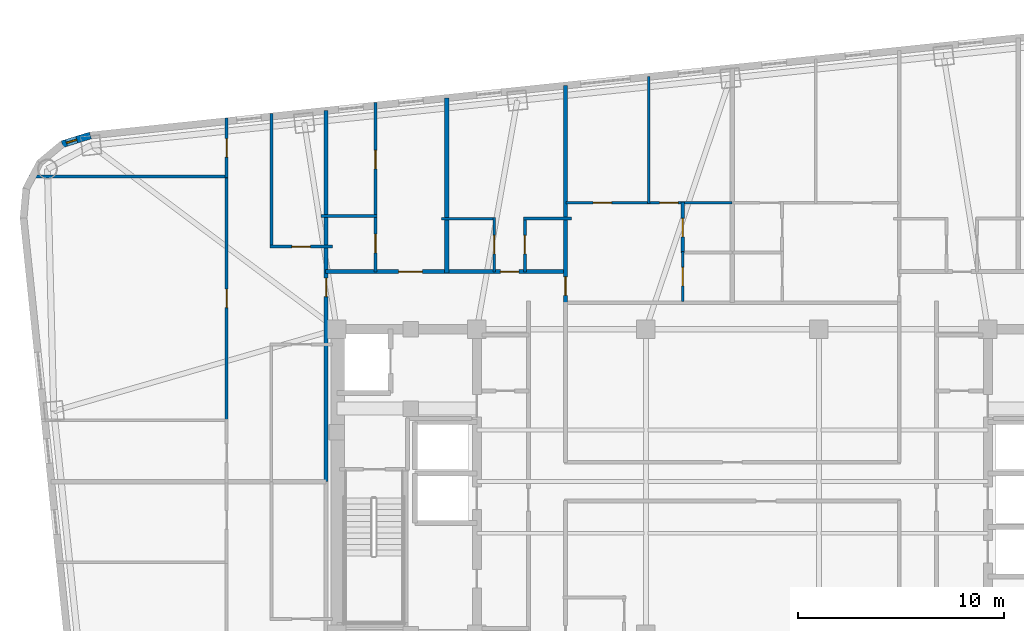
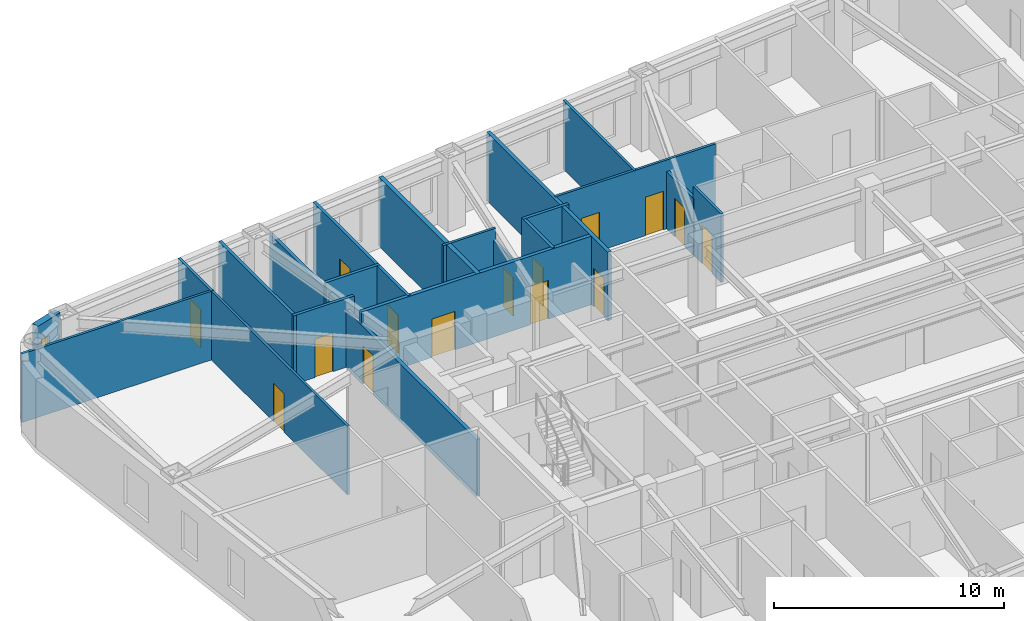
# One storey, part 8 of 12: 21 walls, 15 doors, 1 window, 16 openings.
"""IFC4 building model written with IfcOpenShell, lengths in metres."""

from ifc_helpers import new_model, si_unit, direction, frame, frame_2d, origin, place, context, subcontext, project, spatial, rectangle, extrude, material, layer, layer_set, type_object, element, fill, save


model = new_model("IFC4")

# Units and contexts
model_context = context("Model", 3, precision=1e-05, world=origin(), true_north=direction((0.0, 1.0)))
body_context = subcontext(model_context, "Body", "Model", "MODEL_VIEW")
ifc_project = project(units=[si_unit("LENGTHUNIT", "METRE"), si_unit("AREAUNIT", "SQUARE_METRE"), si_unit("VOLUMEUNIT", "CUBIC_METRE"), si_unit("PLANEANGLEUNIT", "RADIAN"), si_unit("MASSUNIT", "GRAM", prefix="KILO")], contexts=[model_context])

# Site, building, storey
site_placement = place(None, origin())
site = spatial("IfcSite", under=ifc_project, at=site_placement, CompositionType="ELEMENT")
building_placement = place(site_placement, origin())
building = spatial("IfcBuilding", under=site, at=building_placement, Name="Voryun Gate Residences", CompositionType="ELEMENT")
storey_placement = place(building_placement, frame((0.0, 0.0, 187.199951171875)))
storey = spatial("IfcBuildingStorey", under=building, at=storey_placement, Name="L46", CompositionType="ELEMENT", Elevation=187.199951171875)

# Wall, openings, doors
ifc_material_1 = material(Name="Gypsum acoustic fireboard")
ifc_layer_1 = layer(ifc_material_1, 0.179931640625, Name="W_CORR_RATED_180")
ifc_layer_set_1 = layer_set([ifc_layer_1], Name="Gypsum acoustic fireboard")
wall_type_1 = type_object("IfcWallType", Name="W_CORR_RATED_180", PredefinedType="PARTITIONING", material=ifc_layer_set_1)
wall_1_placement = place(storey_placement, frame((-19.75, 10.199951171875, 0.0), z_axis=(0.0, 0.0, 1.0), x_axis=(1.0, 0.0, 0.0)))
wall_1 = element("IfcWall", 1, at=wall_1_placement, inside=storey, type_object=wall_type_1, Name="Partition wall WP-L46-NCORR-W", PredefinedType="PARTITIONING", context=body_context, shape_type="SweptSolid", body=[
    extrude(rectangle(XDim=11.669921875, YDim=0.179931640625, at=frame_2d((5.8349609375, 0.0))), origin(), (0.0, 0.0, 1.0), 3.650146484375),
])
opening_1_placement = place(wall_1_placement, frame((3.552734375, 0.0, 0.0)))
opening_1 = element("IfcOpeningElement", 2, at=opening_1_placement, cuts=wall_1, Name="Opening D-UNIT-1", PredefinedType="OPENING", context=body_context, shape_type="SweptSolid", body=[
    extrude(rectangle(XDim=1.14990234375, YDim=2.050048828125, at=frame_2d((0.574951171875, 1.02490234375))), frame((0.0, 0.099853515625, 0.0), z_axis=(0.0, -1.0, 0.0), x_axis=(1.0, 0.0, 0.0)), (0.0, 0.0, 1.0), 0.199951171875),
])
opening_2_placement = place(wall_1_placement, frame((8.4892578125, 0.0, 0.0)))
opening_2 = element("IfcOpeningElement", 3, at=opening_2_placement, cuts=wall_1, Name="Opening D-INT-2", PredefinedType="OPENING", context=body_context, shape_type="SweptSolid", body=[
    extrude(rectangle(XDim=0.89990234375, YDim=2.050048828125, at=frame_2d((0.449951171875, 1.02490234375))), frame((0.0, 0.099853515625, 0.0), z_axis=(0.0, -1.0, 0.0), x_axis=(1.0, 0.0, 0.0)), (0.0, 0.0, 1.0), 0.199951171875),
])
ifc_material_2 = material(Name="Architectural oak veneer")
door_type_1 = type_object("IfcDoorType", Name="DR_INT_BATH_900", OperationType="NOTDEFINED", PredefinedType="DOOR", material=ifc_material_2)
door_1_placement = place(opening_2_placement, origin())
door_1 = element("IfcDoor", 4, at=door_1_placement, inside=storey, type_object=door_type_1, Name="Door DR-L46-NENT-2", OperationType="SINGLE_SWING_RIGHT", OverallHeight=2.050048828125, OverallWidth=0.89990234375, PredefinedType="DOOR", context=body_context, shape_type="SweptSolid", body=[
    extrude(rectangle(XDim=0.89990234375, YDim=2.050048828125, at=frame_2d((0.449951171875, 1.02490234375))), frame((0.0, 0.02490234375, 0.0), z_axis=(0.0, -1.0, 0.0), x_axis=(1.0, 0.0, 0.0)), (0.0, 0.0, 1.0), 0.050048828125),
])
fill(opening_2, door_1)
ifc_material_3 = material(Name="Armoured timber-clad fire door", Category="wood")
door_type_2 = type_object("IfcDoorType", Name="DR_UNIT_ENTRY_1150", OperationType="NOTDEFINED", PredefinedType="DOOR", material=ifc_material_3)
door_2_placement = place(opening_1_placement, origin())
door_2 = element("IfcDoor", 5, at=door_2_placement, inside=storey, type_object=door_type_2, Name="Door DR-L46-NENT-1", OperationType="SINGLE_SWING_LEFT", OverallHeight=2.050048828125, OverallWidth=1.14990234375, PredefinedType="DOOR", context=body_context, shape_type="SweptSolid", body=[
    extrude(rectangle(XDim=1.14990234375, YDim=2.050048828125, at=frame_2d((0.574951171875, 1.02490234375))), frame((0.0, 0.02490234375, 0.0), z_axis=(0.0, -1.0, 0.0), x_axis=(1.0, 0.0, 0.0)), (0.0, 0.0, 1.0), 0.050048828125),
])
fill(opening_1, door_2)

# Wall, opening, door
wall_2_placement = place(storey_placement, frame((-8.10009765625, 8.68994140625, 0.0), z_axis=(0.0, 0.0, 1.0), x_axis=(0.0, 1.0, 0.0)))
wall_2 = element("IfcWall", 6, at=wall_2_placement, inside=storey, type_object=wall_type_1, Name="Partition wall WP-L46-NZV-1", PredefinedType="PARTITIONING", context=body_context, shape_type="SweptSolid", body=[
    extrude(rectangle(XDim=10.536376953125, YDim=0.179931640625, at=frame_2d((5.26806640625, 0.0))), origin(), (0.0, 0.0, 1.0), 3.650146484375),
])
opening_3_placement = place(wall_2_placement, frame((0.349609375, 0.0, 0.0)))
opening_3 = element("IfcOpeningElement", 7, at=opening_3_placement, cuts=wall_2, Name="Opening D-INT-2", PredefinedType="OPENING", context=body_context, shape_type="SweptSolid", body=[
    extrude(rectangle(XDim=0.89990234375, YDim=2.050048828125, at=frame_2d((0.449951171875, 1.02490234375))), frame((0.0, 0.099853515625, 0.0), z_axis=(0.0, -1.0, 0.0), x_axis=(1.0, 0.0, 0.0)), (0.0, 0.0, 1.0), 0.199951171875),
])
door_3_placement = place(opening_3_placement, origin())
door_3 = element("IfcDoor", 8, at=door_3_placement, inside=storey, type_object=door_type_1, Name="Door DR-L46-NZENT-1", OperationType="SINGLE_SWING_LEFT", OverallHeight=2.050048828125, OverallWidth=0.89990234375, PredefinedType="DOOR", context=body_context, shape_type="SweptSolid", body=[
    extrude(rectangle(XDim=0.89990234375, YDim=2.050048828125, at=frame_2d((0.449951171875, 1.02490234375))), frame((0.0, 0.02490234375, 0.0), z_axis=(0.0, -1.0, 0.0), x_axis=(1.0, 0.0, 0.0)), (0.0, 0.0, 1.0), 0.050048828125),
])
fill(opening_3, door_3)

wall_3_placement = place(storey_placement, frame((-19.719970703125, 0.0, 0.0), z_axis=(0.0, 0.0, 1.0), x_axis=(0.0, 1.0, 0.0)))
wall_3 = element("IfcWall", 9, at=wall_3_placement, inside=storey, type_object=wall_type_1, Name="Partition wall WP-L46-WCOR2", PredefinedType="PARTITIONING", context=body_context, shape_type="SweptSolid", body=[
    extrude(rectangle(XDim=18.005126953125, YDim=0.179931640625, at=frame_2d((9.00244140625, 0.0))), origin(), (0.0, 0.0, 1.0), 3.0400390625),
])
opening_4_placement = place(wall_3_placement, frame((8.979248046875, 0.0, 0.0)))
opening_4 = element("IfcOpeningElement", 10, at=opening_4_placement, cuts=wall_3, Name="Opening D-INT-2", PredefinedType="OPENING", context=body_context, shape_type="SweptSolid", body=[
    extrude(rectangle(XDim=0.89990234375, YDim=2.050048828125, at=frame_2d((0.449951171875, 1.02490234375))), frame((0.0, 0.099853515625, 0.0), z_axis=(0.0, -1.0, 0.0), x_axis=(1.0, 0.0, 0.0)), (0.0, 0.0, 1.0), 0.199951171875),
])
door_4_placement = place(opening_4_placement, origin())
door_4 = element("IfcDoor", 11, at=door_4_placement, inside=storey, type_object=door_type_1, Name="Door DR-L46-WE2", OperationType="SINGLE_SWING_RIGHT", OverallHeight=2.050048828125, OverallWidth=0.89990234375, PredefinedType="DOOR", context=body_context, shape_type="SweptSolid", body=[
    extrude(rectangle(XDim=0.89990234375, YDim=2.050048828125, at=frame_2d((0.449951171875, 1.02490234375))), frame((0.0, 0.02490234375, 0.0), z_axis=(0.0, -1.0, 0.0), x_axis=(1.0, 0.0, 0.0)), (0.0, 0.0, 1.0), 0.050048828125),
])
fill(opening_4, door_4)

# Wall, opening, window
ifc_material_4 = material(Name="Charcoal terracotta masonry", Category="masonry")
ifc_layer_2 = layer(ifc_material_4, 0.340087890625, Name="W_EXT_TERRACOTTA_340")
ifc_layer_set_2 = layer_set([ifc_layer_2], Name="Charcoal terracotta masonry")
wall_type_2 = type_object("IfcWallType", Name="W_EXT_TERRACOTTA_340", PredefinedType="ELEMENTEDWALL", material=ifc_layer_set_2)
wall_4_placement = place(storey_placement, frame((-32.523193359375, 16.37841796875, 0.0), z_axis=(0.0, 0.0, 1.0), x_axis=(0.9549942197, 0.296624409546, 0.0)))
wall_4 = element("IfcWall", 12, at=wall_4_placement, inside=storey, type_object=wall_type_2, Name="Exterior wall WEXT-L46-10", PredefinedType="ELEMENTEDWALL", context=body_context, shape_type="SweptSolid", body=[
    extrude(rectangle(XDim=1.43212890625, YDim=0.340087890625, at=frame_2d((0.716064453125, 0.0))), origin(), (0.0, 0.0, 1.0), 3.650146484375),
])
opening_5_placement = place(wall_4_placement, frame((0.216064453125, 0.0, 0.75)))
opening_5 = element("IfcOpeningElement", 13, at=opening_5_placement, cuts=wall_4, Name="Opening WN10", PredefinedType="OPENING", context=body_context, shape_type="SweptSolid", body=[
    extrude(rectangle(XDim=0.52001953125, YDim=2.050048828125, at=frame_2d((0.260009765625, 1.02490234375))), frame((0.0, 0.179931640625, 0.0), z_axis=(0.0, -1.0, 0.0), x_axis=(1.0, 0.0, 0.0)), (0.0, 0.0, 1.0), 0.360107421875),
])
ifc_material_5 = material(Name="Laminated low-E glass", Category="glass")
window_type = type_object("IfcWindowType", Name="WN_PAGODA_LANCET_520", PartitioningType="SINGLE_PANEL", PredefinedType="WINDOW", material=ifc_material_5)
window_placement = place(opening_5_placement, origin())
window = element("IfcWindow", 14, at=window_placement, inside=storey, type_object=window_type, Name="Window WN-L46-DWFIX-24", OverallHeight=2.050048828125, OverallWidth=0.52001953125, PartitioningType="SINGLE_PANEL", PredefinedType="WINDOW", context=body_context, shape_type="SweptSolid", body=[
    extrude(rectangle(XDim=0.52001953125, YDim=2.050048828125, at=frame_2d((0.260009765625, 1.02490234375))), frame((0.0, 0.030029296875, 0.0), z_axis=(0.0, -1.0, 0.0), x_axis=(1.0, 0.0, 0.0)), (0.0, 0.0, 1.0), 0.06005859375),
])
fill(opening_5, window)

# Wall
ifc_material_6 = material(Name="Concrete C40/50", Category="concrete")
ifc_layer_3 = layer(ifc_material_6, 0.219970703125, Name="W_PARTY_ACOUSTIC_220")
ifc_layer_set_3 = layer_set([ifc_layer_3], Name="Concrete C40/50")
wall_type_3 = type_object("IfcWallType", Name="W_PARTY_ACOUSTIC_220", PredefinedType="PARTITIONING", material=ifc_layer_set_3)
wall_5_placement = place(storey_placement, frame((-13.864990234375, 10.1201171875, 0.0), z_axis=(0.0, 0.0, 1.0), x_axis=(0.0, 1.0, 0.0)))
element("IfcWall", 15, at=wall_5_placement, inside=storey, type_object=wall_type_3, Name="Partition wall WP-L46-NPTY-1", PredefinedType="PARTITIONING", context=body_context, shape_type="SweptSolid", body=[
    extrude(rectangle(XDim=8.50048828125, YDim=0.219970703125, at=frame_2d((4.250244140625, 0.0))), origin(), (0.0, 0.0, 1.0), 3.650146484375),
])

# Wall, opening, door
ifc_material_7 = material(Name="Gypsum acoustic partition")
ifc_layer_4 = layer(ifc_material_7, 0.125, Name="W_UNIT_PART_125")
ifc_layer_set_4 = layer_set([ifc_layer_4], Name="Gypsum acoustic partition")
wall_type_4 = type_object("IfcWallType", Name="W_UNIT_PART_125", PredefinedType="PARTITIONING", material=ifc_layer_set_4)
wall_6_placement = place(storey_placement, frame((-11.554931640625, 10.179931640625, 0.0), z_axis=(0.0, 0.0, 1.0), x_axis=(0.0, 1.0, 0.0)))
wall_6 = element("IfcWall", 16, at=wall_6_placement, inside=storey, type_object=wall_type_4, Name="Partition wall WP-L46-N2-CVK", PredefinedType="PARTITIONING", context=body_context, shape_type="SweptSolid", body=[
    extrude(rectangle(XDim=2.650146484375, YDim=0.125, at=frame_2d((1.3251953125, 0.0))), origin(), (0.0, 0.0, 1.0), 3.0400390625),
])
opening_6_placement = place(wall_6_placement, frame((0.875, 0.0, 0.0)))
opening_6 = element("IfcOpeningElement", 17, at=opening_6_placement, cuts=wall_6, Name="Opening D-INT-2", PredefinedType="OPENING", context=body_context, shape_type="SweptSolid", body=[
    extrude(rectangle(XDim=0.89990234375, YDim=2.050048828125, at=frame_2d((0.449951171875, 1.02490234375))), frame((0.0, 0.072509765625, 0.0), z_axis=(0.0, -1.0, 0.0), x_axis=(1.0, 0.0, 0.0)), (0.0, 0.0, 1.0), 0.14501953125),
])
door_5_placement = place(opening_6_placement, origin())
door_5 = element("IfcDoor", 18, at=door_5_placement, inside=storey, type_object=door_type_1, Name="Door DR-L46-N2-DK", OperationType="SINGLE_SWING_LEFT", OverallHeight=2.050048828125, OverallWidth=0.89990234375, PredefinedType="DOOR", context=body_context, shape_type="SweptSolid", body=[
    extrude(rectangle(XDim=0.89990234375, YDim=2.050048828125, at=frame_2d((0.449951171875, 1.02490234375))), frame((0.0, 0.02490234375, 0.0), z_axis=(0.0, -1.0, 0.0), x_axis=(1.0, 0.0, 0.0)), (0.0, 0.0, 1.0), 0.050048828125),
])
fill(opening_6, door_5)

# Wall
wall_7_placement = place(storey_placement, frame((-14.125, 12.77001953125, 0.0), z_axis=(0.0, 0.0, 1.0), x_axis=(1.0, 0.0, 0.0)))
element("IfcWall", 19, at=wall_7_placement, inside=storey, type_object=wall_type_4, Name="Partition wall WP-L46-N2-CHK", PredefinedType="PARTITIONING", context=body_context, shape_type="SweptSolid", body=[
    extrude(rectangle(XDim=2.6298828125, YDim=0.125, at=frame_2d((1.31494140625, 0.0))), origin(), (0.0, 0.0, 1.0), 3.650146484375),
])

# Wall, openings, doors
wall_8_placement = place(storey_placement, frame((-8.080078125, 13.530029296875, 0.0), z_axis=(0.0, 0.0, 1.0), x_axis=(1.0, 0.0, 0.0)))
wall_8 = element("IfcWall", 20, at=wall_8_placement, inside=storey, type_object=wall_type_4, Name="Partition wall WP-L46-NC1-HZ", PredefinedType="PARTITIONING", context=body_context, shape_type="SweptSolid", body=[
    extrude(rectangle(XDim=8.06005859375, YDim=0.125, at=frame_2d((4.030029296875, 0.0))), origin(), (0.0, 0.0, 1.0), 3.650146484375),
])
opening_7_placement = place(wall_8_placement, frame((1.3232421875, 0.0, 0.0)))
opening_7 = element("IfcOpeningElement", 21, at=opening_7_placement, cuts=wall_8, Name="Opening D-INT-2", PredefinedType="OPENING", context=body_context, shape_type="SweptSolid", body=[
    extrude(rectangle(XDim=0.89990234375, YDim=2.050048828125, at=frame_2d((0.449951171875, 1.02490234375))), frame((0.0, 0.072509765625, 0.0), z_axis=(0.0, -1.0, 0.0), x_axis=(1.0, 0.0, 0.0)), (0.0, 0.0, 1.0), 0.14501953125),
])
opening_8_placement = place(wall_8_placement, frame((4.547119140625, 0.0, 0.0)))
opening_8 = element("IfcOpeningElement", 22, at=opening_8_placement, cuts=wall_8, Name="Opening D-INT-2", PredefinedType="OPENING", context=body_context, shape_type="SweptSolid", body=[
    extrude(rectangle(XDim=0.89990234375, YDim=2.050048828125, at=frame_2d((0.449951171875, 1.02490234375))), frame((0.0, 0.072509765625, 0.0), z_axis=(0.0, -1.0, 0.0), x_axis=(1.0, 0.0, 0.0)), (0.0, 0.0, 1.0), 0.14501953125),
])
door_6_placement = place(opening_7_placement, origin())
door_6 = element("IfcDoor", 23, at=door_6_placement, inside=storey, type_object=door_type_1, Name="Door DR-L46-NC1-DMB", OperationType="SINGLE_SWING_LEFT", OverallHeight=2.050048828125, OverallWidth=0.89990234375, PredefinedType="DOOR", context=body_context, shape_type="SweptSolid", body=[
    extrude(rectangle(XDim=0.89990234375, YDim=2.050048828125, at=frame_2d((0.449951171875, 1.02490234375))), frame((0.0, 0.02490234375, 0.0), z_axis=(0.0, -1.0, 0.0), x_axis=(1.0, 0.0, 0.0)), (0.0, 0.0, 1.0), 0.050048828125),
])
fill(opening_7, door_6)
door_7_placement = place(opening_8_placement, origin())
door_7 = element("IfcDoor", 24, at=door_7_placement, inside=storey, type_object=door_type_1, Name="Door DR-L46-NC1-DBD2", OperationType="SINGLE_SWING_RIGHT", OverallHeight=2.050048828125, OverallWidth=0.89990234375, PredefinedType="DOOR", context=body_context, shape_type="SweptSolid", body=[
    extrude(rectangle(XDim=0.89990234375, YDim=2.050048828125, at=frame_2d((0.449951171875, 1.02490234375))), frame((0.0, 0.02490234375, 0.0), z_axis=(0.0, -1.0, 0.0), x_axis=(1.0, 0.0, 0.0)), (0.0, 0.0, 1.0), 0.050048828125),
])
fill(opening_8, door_7)

# Wall, opening, door
wall_9_placement = place(storey_placement, frame((-2.409912109375, 8.75, 0.0), z_axis=(0.0, 0.0, 1.0), x_axis=(0.0, 1.0, 0.0)))
wall_9 = element("IfcWall", 25, at=wall_9_placement, inside=storey, type_object=wall_type_4, Name="Partition wall WP-L46-NC1-VK1", PredefinedType="PARTITIONING", context=body_context, shape_type="SweptSolid", body=[
    extrude(rectangle(XDim=2.409912109375, YDim=0.125, at=frame_2d((1.205078125, 0.0))), origin(), (0.0, 0.0, 1.0), 3.650146484375),
])
opening_9_placement = place(wall_9_placement, frame((0.7548828125, 0.0, 0.0)))
opening_9 = element("IfcOpeningElement", 26, at=opening_9_placement, cuts=wall_9, Name="Opening D-INT-2", PredefinedType="OPENING", context=body_context, shape_type="SweptSolid", body=[
    extrude(rectangle(XDim=0.89990234375, YDim=2.050048828125, at=frame_2d((0.449951171875, 1.02490234375))), frame((0.0, 0.072509765625, 0.0), z_axis=(0.0, -1.0, 0.0), x_axis=(1.0, 0.0, 0.0)), (0.0, 0.0, 1.0), 0.14501953125),
])
door_8_placement = place(opening_9_placement, origin())
door_8 = element("IfcDoor", 27, at=door_8_placement, inside=storey, type_object=door_type_1, Name="Door DR-L46-NC1-DK", OperationType="SINGLE_SWING_LEFT", OverallHeight=2.050048828125, OverallWidth=0.89990234375, PredefinedType="DOOR", context=body_context, shape_type="SweptSolid", body=[
    extrude(rectangle(XDim=0.89990234375, YDim=2.050048828125, at=frame_2d((0.449951171875, 1.02490234375))), frame((0.0, 0.02490234375, 0.0), z_axis=(0.0, -1.0, 0.0), x_axis=(1.0, 0.0, 0.0)), (0.0, 0.0, 1.0), 0.050048828125),
])
fill(opening_9, door_8)

# Walls
wall_10_placement = place(storey_placement, frame((-4.050048828125, 13.489990234375, 0.0), z_axis=(0.0, 0.0, 1.0), x_axis=(0.0, 1.0, 0.0)))
element("IfcWall", 28, at=wall_10_placement, inside=storey, type_object=wall_type_4, Name="Partition wall WP-L46-NC1-VBD", PredefinedType="PARTITIONING", context=body_context, shape_type="SweptSolid", body=[
    extrude(rectangle(XDim=6.162109375, YDim=0.125, at=frame_2d((3.0810546875, 0.0))), origin(), (0.0, 0.0, 1.0), 3.650146484375),
])
wall_11_placement = place(storey_placement, frame((-34.12890625, 14.81201171875, 0.0), z_axis=(0.0, 0.0, 1.0), x_axis=(1.0, 0.0, 0.0)))
element("IfcWall", 29, at=wall_11_placement, inside=storey, type_object=wall_type_4, Name="Partition wall WP-L46-W2-OH2", PredefinedType="PARTITIONING", context=body_context, shape_type="SweptSolid", body=[
    extrude(rectangle(XDim=9.658935546875, YDim=0.125, at=frame_2d((4.82958984375, 0.0))), origin(), (0.0, 0.0, 1.0), 3.650146484375),
])

# Wall, opening, door
wall_12_placement = place(storey_placement, frame((-24.550048828125, 2.925048828125, 0.0), z_axis=(0.0, 0.0, 1.0), x_axis=(0.0, 1.0, 0.0)))
wall_12 = element("IfcWall", 30, at=wall_12_placement, inside=storey, type_object=wall_type_4, Name="Partition wall WP-L46-W2-OVX2", PredefinedType="PARTITIONING", context=body_context, shape_type="SweptSolid", body=[
    extrude(rectangle(XDim=11.93701171875, YDim=0.125, at=frame_2d((5.968505859375, 0.0))), origin(), (0.0, 0.0, 1.0), 3.650146484375),
])
opening_10_placement = place(wall_12_placement, frame((5.5185546875, 0.0, 0.0)))
opening_10 = element("IfcOpeningElement", 31, at=opening_10_placement, cuts=wall_12, Name="Opening D-INT-2", PredefinedType="OPENING", context=body_context, shape_type="SweptSolid", body=[
    extrude(rectangle(XDim=0.89990234375, YDim=2.050048828125, at=frame_2d((0.449951171875, 1.02490234375))), frame((0.0, 0.072509765625, 0.0), z_axis=(0.0, -1.0, 0.0), x_axis=(1.0, 0.0, 0.0)), (0.0, 0.0, 1.0), 0.14501953125),
])
door_9_placement = place(opening_10_placement, origin())
door_9 = element("IfcDoor", 32, at=door_9_placement, inside=storey, type_object=door_type_1, Name="Door DR-L46-W2-DSTD", OperationType="SINGLE_SWING_RIGHT", OverallHeight=2.050048828125, OverallWidth=0.89990234375, PredefinedType="DOOR", context=body_context, shape_type="SweptSolid", body=[
    extrude(rectangle(XDim=0.89990234375, YDim=2.050048828125, at=frame_2d((0.449951171875, 1.02490234375))), frame((0.0, 0.02490234375, 0.0), z_axis=(0.0, -1.0, 0.0), x_axis=(1.0, 0.0, 0.0)), (0.0, 0.0, 1.0), 0.050048828125),
])
fill(opening_10, door_9)

wall_13_placement = place(storey_placement, frame((-24.550048828125, 14.761962890625, 0.0), z_axis=(0.0, 0.0, 1.0), x_axis=(0.0, 1.0, 0.0)))
wall_13 = element("IfcWall", 33, at=wall_13_placement, inside=storey, type_object=wall_type_4, Name="Partition wall WP-L46-W2-OVX3", PredefinedType="PARTITIONING", context=body_context, shape_type="SweptSolid", body=[
    extrude(rectangle(XDim=2.88623046875, YDim=0.125, at=frame_2d((1.443115234375, 0.0))), origin(), (0.0, 0.0, 1.0), 3.650146484375),
])
opening_11_placement = place(wall_13_placement, frame((0.9931640625, 0.0, 0.0)))
opening_11 = element("IfcOpeningElement", 34, at=opening_11_placement, cuts=wall_13, Name="Opening D-INT-2", PredefinedType="OPENING", context=body_context, shape_type="SweptSolid", body=[
    extrude(rectangle(XDim=0.89990234375, YDim=2.050048828125, at=frame_2d((0.449951171875, 1.02490234375))), frame((0.0, 0.072509765625, 0.0), z_axis=(0.0, -1.0, 0.0), x_axis=(1.0, 0.0, 0.0)), (0.0, 0.0, 1.0), 0.14501953125),
])
door_10_placement = place(opening_11_placement, origin())
door_10 = element("IfcDoor", 35, at=door_10_placement, inside=storey, type_object=door_type_1, Name="Door DR-L46-W2-DMB", OperationType="SINGLE_SWING_LEFT", OverallHeight=2.050048828125, OverallWidth=0.89990234375, PredefinedType="DOOR", context=body_context, shape_type="SweptSolid", body=[
    extrude(rectangle(XDim=0.89990234375, YDim=2.050048828125, at=frame_2d((0.449951171875, 1.02490234375))), frame((0.0, 0.02490234375, 0.0), z_axis=(0.0, -1.0, 0.0), x_axis=(1.0, 0.0, 0.0)), (0.0, 0.0, 1.0), 0.050048828125),
])
fill(opening_11, door_10)

# Wall
ifc_material_8 = material(Name="Gypsum moisture-resistant partition")
ifc_layer_5 = layer(ifc_material_8, 0.14990234375, Name="W_WET_PLUMB_150")
ifc_layer_set_5 = layer_set([ifc_layer_5], Name="Gypsum moisture-resistant partition")
wall_type_5 = type_object("IfcWallType", Name="W_WET_PLUMB_150", PredefinedType="PLUMBINGWALL", material=ifc_layer_set_5)
wall_14_placement = place(storey_placement, frame((-19.969970703125, 12.89990234375, 0.0), z_axis=(0.0, 0.0, 1.0), x_axis=(1.0, 0.0, 0.0)))
element("IfcWall", 36, at=wall_14_placement, inside=storey, type_object=wall_type_5, Name="Partition wall WP-L46-N1-SKB", PredefinedType="PLUMBINGWALL", context=body_context, shape_type="SweptSolid", body=[
    extrude(rectangle(XDim=2.72998046875, YDim=0.14990234375, at=frame_2d((1.364990234375, 0.0))), origin(), (0.0, 0.0, 1.0), 3.650146484375),
])

# Wall, opening, door
wall_15_placement = place(storey_placement, frame((-17.320068359375, 10.179931640625, 0.0), z_axis=(0.0, 0.0, 1.0), x_axis=(0.0, 1.0, 0.0)))
wall_15 = element("IfcWall", 37, at=wall_15_placement, inside=storey, type_object=wall_type_5, Name="Partition wall WP-L46-N1-SVT1", PredefinedType="PLUMBINGWALL", context=body_context, shape_type="SweptSolid", body=[
    extrude(rectangle(XDim=2.760009765625, YDim=0.14990234375, at=frame_2d((1.3798828125, 0.0))), origin(), (0.0, 0.0, 1.0), 3.650146484375),
])
opening_12_placement = place(wall_15_placement, frame((0.929931640625, 0.0, 0.0)))
opening_12 = element("IfcOpeningElement", 38, at=opening_12_placement, cuts=wall_15, Name="Opening D-INT-2", PredefinedType="OPENING", context=body_context, shape_type="SweptSolid", body=[
    extrude(rectangle(XDim=0.89990234375, YDim=2.050048828125, at=frame_2d((0.449951171875, 1.02490234375))), frame((0.0, 0.0849609375, 0.0), z_axis=(0.0, -1.0, 0.0), x_axis=(1.0, 0.0, 0.0)), (0.0, 0.0, 1.0), 0.169921875),
])
door_11_placement = place(opening_12_placement, origin())
door_11 = element("IfcDoor", 39, at=door_11_placement, inside=storey, type_object=door_type_1, Name="Door DR-L46-N1-DB", OperationType="SINGLE_SWING_LEFT", OverallHeight=2.050048828125, OverallWidth=0.89990234375, PredefinedType="DOOR", context=body_context, shape_type="SweptSolid", body=[
    extrude(rectangle(XDim=0.89990234375, YDim=2.050048828125, at=frame_2d((0.449951171875, 1.02490234375))), frame((0.0, 0.02490234375, 0.0), z_axis=(0.0, -1.0, 0.0), x_axis=(1.0, 0.0, 0.0)), (0.0, 0.0, 1.0), 0.050048828125),
])
fill(opening_12, door_11)

wall_16_placement = place(storey_placement, frame((-17.320068359375, 12.860107421875, 0.0), z_axis=(0.0, 0.0, 1.0), x_axis=(0.0, 1.0, 0.0)))
wall_16 = element("IfcWall", 40, at=wall_16_placement, inside=storey, type_object=wall_type_5, Name="Partition wall WP-L46-N1-SVT2", PredefinedType="PLUMBINGWALL", context=body_context, shape_type="SweptSolid", body=[
    extrude(rectangle(XDim=5.548095703125, YDim=0.14990234375, at=frame_2d((2.77392578125, 0.0))), origin(), (0.0, 0.0, 1.0), 3.650146484375),
])
opening_13_placement = place(wall_16_placement, frame((2.32421875, 0.0, 0.0)))
opening_13 = element("IfcOpeningElement", 41, at=opening_13_placement, cuts=wall_16, Name="Opening D-INT-2", PredefinedType="OPENING", context=body_context, shape_type="SweptSolid", body=[
    extrude(rectangle(XDim=0.89990234375, YDim=2.050048828125, at=frame_2d((0.449951171875, 1.02490234375))), frame((0.0, 0.0849609375, 0.0), z_axis=(0.0, -1.0, 0.0), x_axis=(1.0, 0.0, 0.0)), (0.0, 0.0, 1.0), 0.169921875),
])
door_12_placement = place(opening_13_placement, origin())
door_12 = element("IfcDoor", 42, at=door_12_placement, inside=storey, type_object=door_type_1, Name="Door DR-L46-N1-DK", OperationType="SINGLE_SWING_RIGHT", OverallHeight=2.050048828125, OverallWidth=0.89990234375, PredefinedType="DOOR", context=body_context, shape_type="SweptSolid", body=[
    extrude(rectangle(XDim=0.89990234375, YDim=2.050048828125, at=frame_2d((0.449951171875, 1.02490234375))), frame((0.0, 0.02490234375, 0.0), z_axis=(0.0, -1.0, 0.0), x_axis=(1.0, 0.0, 0.0)), (0.0, 0.0, 1.0), 0.050048828125),
])
fill(opening_13, door_12)

wall_17_placement = place(storey_placement, frame((-10.06591796875, 10.179931640625, 0.0), z_axis=(0.0, 0.0, 1.0), x_axis=(0.0, 1.0, 0.0)))
wall_17 = element("IfcWall", 43, at=wall_17_placement, inside=storey, type_object=wall_type_5, Name="Partition wall WP-L46-N2-CVB", PredefinedType="PLUMBINGWALL", context=body_context, shape_type="SweptSolid", body=[
    extrude(rectangle(XDim=2.650146484375, YDim=0.14990234375, at=frame_2d((1.3251953125, 0.0))), origin(), (0.0, 0.0, 1.0), 3.650146484375),
])
opening_14_placement = place(wall_17_placement, frame((0.875, 0.0, 0.0)))
opening_14 = element("IfcOpeningElement", 44, at=opening_14_placement, cuts=wall_17, Name="Opening D-INT-2", PredefinedType="OPENING", context=body_context, shape_type="SweptSolid", body=[
    extrude(rectangle(XDim=0.89990234375, YDim=2.050048828125, at=frame_2d((0.449951171875, 1.02490234375))), frame((0.0, 0.0849609375, 0.0), z_axis=(0.0, -1.0, 0.0), x_axis=(1.0, 0.0, 0.0)), (0.0, 0.0, 1.0), 0.169921875),
])
door_13_placement = place(opening_14_placement, origin())
door_13 = element("IfcDoor", 45, at=door_13_placement, inside=storey, type_object=door_type_1, Name="Door DR-L46-N2-DB", OperationType="SINGLE_SWING_RIGHT", OverallHeight=2.050048828125, OverallWidth=0.89990234375, PredefinedType="DOOR", context=body_context, shape_type="SweptSolid", body=[
    extrude(rectangle(XDim=0.89990234375, YDim=2.050048828125, at=frame_2d((0.449951171875, 1.02490234375))), frame((0.0, 0.02490234375, 0.0), z_axis=(0.0, -1.0, 0.0), x_axis=(1.0, 0.0, 0.0)), (0.0, 0.0, 1.0), 0.050048828125),
])
fill(opening_14, door_13)

# Wall
wall_18_placement = place(storey_placement, frame((-10.1259765625, 12.77001953125, 0.0), z_axis=(0.0, 0.0, 1.0), x_axis=(1.0, 0.0, 0.0)))
element("IfcWall", 46, at=wall_18_placement, inside=storey, type_object=wall_type_5, Name="Partition wall WP-L46-N2-CHB", PredefinedType="PLUMBINGWALL", context=body_context, shape_type="SweptSolid", body=[
    extrude(rectangle(XDim=2.305908203125, YDim=0.14990234375, at=frame_2d((1.15283203125, 0.0))), origin(), (0.0, 0.0, 1.0), 3.650146484375),
])

# Wall, opening, door
wall_19_placement = place(storey_placement, frame((-2.409912109375, 11.10009765625, 0.0), z_axis=(0.0, 0.0, 1.0), x_axis=(0.0, 1.0, 0.0)))
wall_19 = element("IfcWall", 47, at=wall_19_placement, inside=storey, type_object=wall_type_5, Name="Partition wall WP-L46-NC1-VK2", PredefinedType="PLUMBINGWALL", context=body_context, shape_type="SweptSolid", body=[
    extrude(rectangle(XDim=2.469970703125, YDim=0.14990234375, at=frame_2d((1.23486328125, 0.0))), origin(), (0.0, 0.0, 1.0), 3.0400390625),
])
opening_15_placement = place(wall_19_placement, frame((0.784912109375, 0.0, 0.0)))
opening_15 = element("IfcOpeningElement", 48, at=opening_15_placement, cuts=wall_19, Name="Opening D-INT-2", PredefinedType="OPENING", context=body_context, shape_type="SweptSolid", body=[
    extrude(rectangle(XDim=0.89990234375, YDim=2.050048828125, at=frame_2d((0.449951171875, 1.02490234375))), frame((0.0, 0.0849609375, 0.0), z_axis=(0.0, -1.0, 0.0), x_axis=(1.0, 0.0, 0.0)), (0.0, 0.0, 1.0), 0.169921875),
])
door_14_placement = place(opening_15_placement, origin())
door_14 = element("IfcDoor", 49, at=door_14_placement, inside=storey, type_object=door_type_1, Name="Door DR-L46-NC1-DB", OperationType="SINGLE_SWING_RIGHT", OverallHeight=2.050048828125, OverallWidth=0.89990234375, PredefinedType="DOOR", context=body_context, shape_type="SweptSolid", body=[
    extrude(rectangle(XDim=0.89990234375, YDim=2.050048828125, at=frame_2d((0.449951171875, 1.02490234375))), frame((0.0, 0.02490234375, 0.0), z_axis=(0.0, -1.0, 0.0), x_axis=(1.0, 0.0, 0.0)), (0.0, 0.0, 1.0), 0.050048828125),
])
fill(opening_15, door_14)

wall_20_placement = place(storey_placement, frame((-22.449951171875, 11.412109375, 0.0), z_axis=(0.0, 0.0, 1.0), x_axis=(1.0, 0.0, 0.0)))
wall_20 = element("IfcWall", 50, at=wall_20_placement, inside=storey, type_object=wall_type_5, Name="Partition wall WP-L46-W2-IBB", PredefinedType="PLUMBINGWALL", context=body_context, shape_type="SweptSolid", body=[
    extrude(rectangle(XDim=3.050048828125, YDim=0.14990234375, at=frame_2d((1.52490234375, 0.0))), origin(), (0.0, 0.0, 1.0), 3.650146484375),
])
opening_16_placement = place(wall_20_placement, frame((1.074951171875, 0.0, 0.0)))
opening_16 = element("IfcOpeningElement", 51, at=opening_16_placement, cuts=wall_20, Name="Opening D-INT-2", PredefinedType="OPENING", context=body_context, shape_type="SweptSolid", body=[
    extrude(rectangle(XDim=0.89990234375, YDim=2.050048828125, at=frame_2d((0.449951171875, 1.02490234375))), frame((0.0, 0.0849609375, 0.0), z_axis=(0.0, -1.0, 0.0), x_axis=(1.0, 0.0, 0.0)), (0.0, 0.0, 1.0), 0.169921875),
])
door_15_placement = place(opening_16_placement, origin())
door_15 = element("IfcDoor", 52, at=door_15_placement, inside=storey, type_object=door_type_1, Name="Door DR-L46-W2-DB", OperationType="SINGLE_SWING_RIGHT", OverallHeight=2.050048828125, OverallWidth=0.89990234375, PredefinedType="DOOR", context=body_context, shape_type="SweptSolid", body=[
    extrude(rectangle(XDim=0.89990234375, YDim=2.050048828125, at=frame_2d((0.449951171875, 1.02490234375))), frame((0.0, 0.02490234375, 0.0), z_axis=(0.0, -1.0, 0.0), x_axis=(1.0, 0.0, 0.0)), (0.0, 0.0, 1.0), 0.050048828125),
])
fill(opening_16, door_15)

# Wall
wall_21_placement = place(storey_placement, frame((-22.3701171875, 11.33203125, 0.0), z_axis=(0.0, 0.0, 1.0), x_axis=(0.0, 1.0, 0.0)))
element("IfcWall", 53, at=wall_21_placement, inside=storey, type_object=wall_type_5, Name="Partition wall WP-L46-W2-VTB", PredefinedType="PLUMBINGWALL", context=body_context, shape_type="SweptSolid", body=[
    extrude(rectangle(XDim=6.54541015625, YDim=0.14990234375, at=frame_2d((3.272705078125, 0.0))), origin(), (0.0, 0.0, 1.0), 3.650146484375),
])

save(model, "model.ifc")
